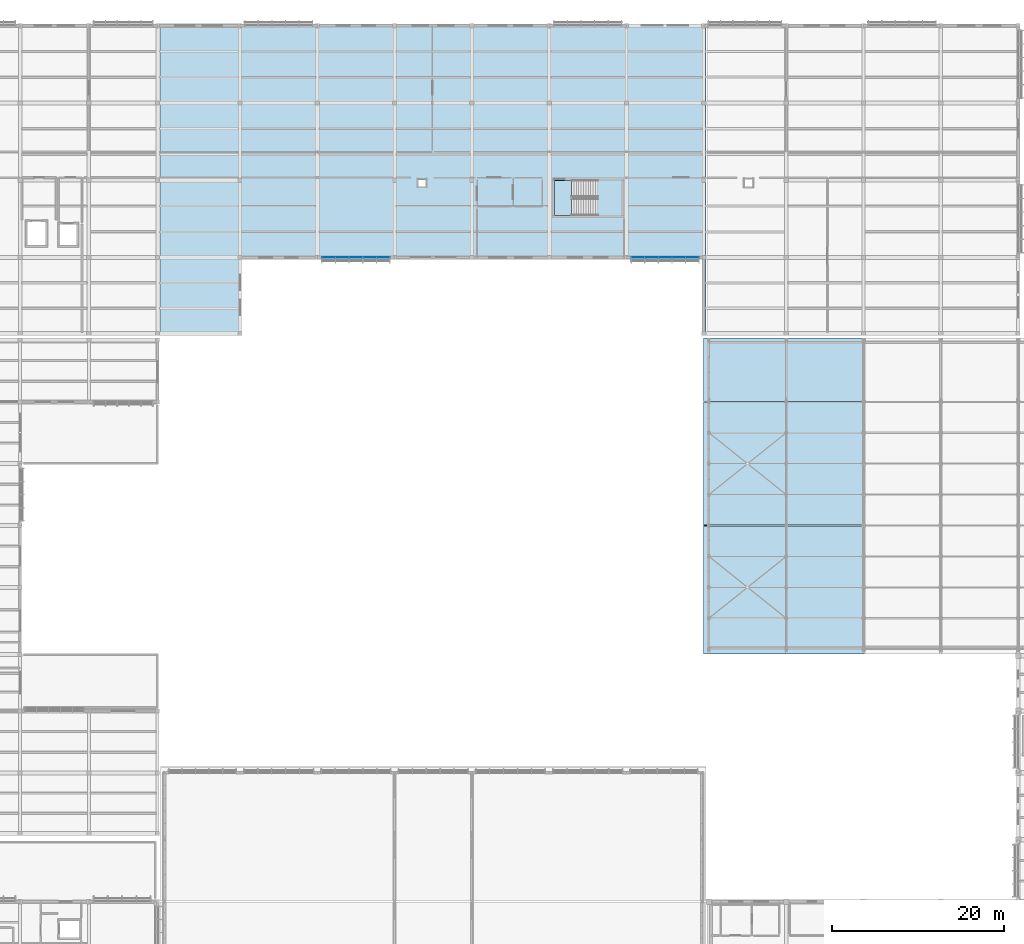
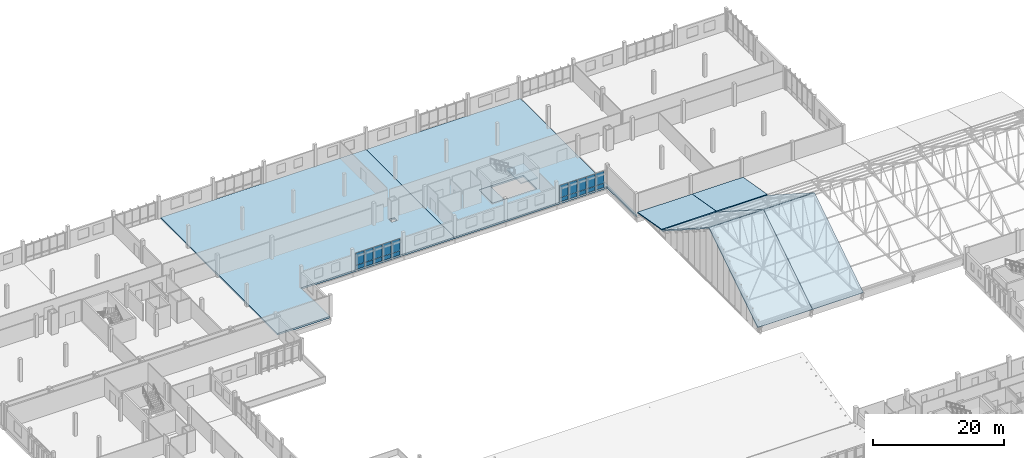
# One storey, part 151 of 182: 20 plates, 10 slabs, 3 elements without a shape of their own.
"""IFC4 building model written with IfcOpenShell, lengths in metres."""

from ifc_helpers import new_model, si_unit, direction, frame, origin, origin_2d, place, context, subcontext, project, spatial, polyline, rectangle, outline, extrude, material, layer, layer_set, type_object, element, aggregate, save


model = new_model("IFC4")

# Units and contexts
model_context = context("Model", 3, precision=1e-05, world=origin(), true_north=direction((0.0, 1.0)))
body_context = subcontext(model_context, "Body", "Model", "MODEL_VIEW")
ifc_project = project(units=[si_unit("LENGTHUNIT", "METRE"), si_unit("AREAUNIT", "SQUARE_METRE"), si_unit("VOLUMEUNIT", "CUBIC_METRE"), si_unit("PLANEANGLEUNIT", "RADIAN"), si_unit("MASSUNIT", "GRAM", prefix="KILO")], contexts=[model_context])

# Site, building, storey
site_placement = place(None, origin())
site = spatial("IfcSite", under=ifc_project, at=site_placement, CompositionType="ELEMENT")
building_placement = place(site_placement, origin())
building = spatial("IfcBuilding", under=site, at=building_placement, Name="Chiffa Square Polytechnic", CompositionType="ELEMENT")
storey_placement = place(building_placement, frame((0.0, 0.0, 9.60009765625)))
storey = spatial("IfcBuildingStorey", under=building, at=storey_placement, Name="L02", CompositionType="ELEMENT", Elevation=9.60009765625)

# Curtain wall, plates
ifc_material_1 = material(Name="Aluminium EN AW-6060 T66 and glulam shading", Category="wood")
curtain_wall_type_1 = type_object("IfcCurtainWallType", Name="CW-VERT-480X380", PredefinedType="USERDEFINED", material=ifc_material_1)
curtain_wall_1_placement = place(storey_placement, origin())
curtain_wall_1 = element("IfcCurtainWall", 1, at=curtain_wall_1_placement, inside=storey, type_object=curtain_wall_type_1, Name="Curtain wall CW-V5-L02-214", ObjectType="CURTAIN WALL", PredefinedType="USERDEFINED")
ifc_material_2 = material(Name="Double glazing", Category="glass")
ifc_layer_1 = layer(ifc_material_2, 0.0419921875, Name="Double glazing")
ifc_layer_set_1 = layer_set([ifc_layer_1], Name="Double glazing")
plate_type_1 = type_object("IfcPlateType", Name="CWP-GLZ-138X126", PredefinedType="CURTAIN_PANEL", material=ifc_layer_set_1)
plate_1_placement = place(storey_placement, frame((103.943115234375, 103.800048828125, 0.83935546875), z_axis=(0.0, 0.0, 1.0), x_axis=(1.0, 0.0, 0.0)))
plate_1 = element("IfcPlate", 2, at=plate_1_placement, type_object=plate_type_1, Name="Glazed curtain panel CW-V5-L02-214-PN01", PredefinedType="CURTAIN_PANEL", context=body_context, shape_type="SweptSolid", body=[
    extrude(rectangle(XDim=1.510009765625, YDim=0.0419921875, at=origin_2d()), origin(), (0.0, 0.0, 1.0), 2.284912109375),
])
plate_2_placement = place(storey_placement, frame((105.51611328125, 103.800048828125, 0.83935546875), z_axis=(0.0, 0.0, 1.0), x_axis=(1.0, 0.0, 0.0)))
plate_2 = element("IfcPlate", 3, at=plate_2_placement, type_object=plate_type_1, Name="Glazed curtain panel CW-V5-L02-214-PN02", PredefinedType="CURTAIN_PANEL", context=body_context, shape_type="SweptSolid", body=[
    extrude(rectangle(XDim=1.531982421875, YDim=0.0419921875, at=origin_2d()), origin(), (0.0, 0.0, 1.0), 2.284912109375),
])
plate_3_placement = place(storey_placement, frame((107.10009765625, 103.800048828125, 0.83935546875), z_axis=(0.0, 0.0, 1.0), x_axis=(1.0, 0.0, 0.0)))
plate_3 = element("IfcPlate", 4, at=plate_3_placement, type_object=plate_type_1, Name="Glazed curtain panel CW-V5-L02-214-PN03", PredefinedType="CURTAIN_PANEL", context=body_context, shape_type="SweptSolid", body=[
    extrude(rectangle(XDim=1.531982421875, YDim=0.0419921875, at=origin_2d()), origin(), (0.0, 0.0, 1.0), 2.284912109375),
])
plate_4_placement = place(storey_placement, frame((108.68408203125, 103.800048828125, 0.83935546875), z_axis=(0.0, 0.0, 1.0), x_axis=(1.0, 0.0, 0.0)))
plate_4 = element("IfcPlate", 5, at=plate_4_placement, type_object=plate_type_1, Name="Glazed curtain panel CW-V5-L02-214-PN04", PredefinedType="CURTAIN_PANEL", context=body_context, shape_type="SweptSolid", body=[
    extrude(rectangle(XDim=1.531982421875, YDim=0.0419921875, at=origin_2d()), origin(), (0.0, 0.0, 1.0), 2.284912109375),
])
plate_5_placement = place(storey_placement, frame((110.257080078125, 103.800048828125, 0.83935546875), z_axis=(0.0, 0.0, 1.0), x_axis=(1.0, 0.0, 0.0)))
plate_5 = element("IfcPlate", 6, at=plate_5_placement, type_object=plate_type_1, Name="Glazed curtain panel CW-V5-L02-214-PN05", PredefinedType="CURTAIN_PANEL", context=body_context, shape_type="SweptSolid", body=[
    extrude(rectangle(XDim=1.510009765625, YDim=0.0419921875, at=origin_2d()), origin(), (0.0, 0.0, 1.0), 2.284912109375),
])

curtain_wall_type_2 = type_object("IfcCurtainWallType", Name="CW-VERT-360X380", PredefinedType="USERDEFINED", material=ifc_material_1)
curtain_wall_2_placement = place(storey_placement, origin())
curtain_wall_2 = element("IfcCurtainWall", 7, at=curtain_wall_2_placement, inside=storey, type_object=curtain_wall_type_2, Name="Curtain wall CW-V5-L02-213", ObjectType="CURTAIN WALL", PredefinedType="USERDEFINED")
ifc_layer_2 = layer(ifc_material_2, 0.0400390625, Name="Double glazing")
ifc_layer_set_2 = layer_set([ifc_layer_2], Name="Double glazing")
plate_type_2 = type_object("IfcPlateType", Name="CWP-GLZ-140X130", PredefinedType="CURTAIN_PANEL", material=ifc_layer_set_2)
plate_6_placement = place(storey_placement, frame((67.943115234375, 103.800048828125, 0.83935546875), z_axis=(0.0, 0.0, 1.0), x_axis=(1.0, 0.0, 0.0)))
plate_6 = element("IfcPlate", 8, at=plate_6_placement, type_object=plate_type_2, Name="Glazed curtain panel CW-V5-L02-213-PN01", PredefinedType="CURTAIN_PANEL", context=body_context, shape_type="SweptSolid", body=[
    extrude(rectangle(XDim=1.510009765625, YDim=0.0400390625, at=origin_2d()), origin(), (0.0, 0.0, 1.0), 2.284912109375),
])
plate_7_placement = place(storey_placement, frame((69.51611328125, 103.800048828125, 0.83935546875), z_axis=(0.0, 0.0, 1.0), x_axis=(1.0, 0.0, 0.0)))
plate_7 = element("IfcPlate", 9, at=plate_7_placement, type_object=plate_type_2, Name="Glazed curtain panel CW-V5-L02-213-PN02", PredefinedType="CURTAIN_PANEL", context=body_context, shape_type="SweptSolid", body=[
    extrude(rectangle(XDim=1.531982421875, YDim=0.0400390625, at=origin_2d()), origin(), (0.0, 0.0, 1.0), 2.284912109375),
])
plate_8_placement = place(storey_placement, frame((71.10009765625, 103.800048828125, 0.83935546875), z_axis=(0.0, 0.0, 1.0), x_axis=(1.0, 0.0, 0.0)))
plate_8 = element("IfcPlate", 10, at=plate_8_placement, type_object=plate_type_2, Name="Glazed curtain panel CW-V5-L02-213-PN03", PredefinedType="CURTAIN_PANEL", context=body_context, shape_type="SweptSolid", body=[
    extrude(rectangle(XDim=1.531982421875, YDim=0.0400390625, at=origin_2d()), origin(), (0.0, 0.0, 1.0), 2.284912109375),
])
plate_9_placement = place(storey_placement, frame((72.68408203125, 103.800048828125, 0.83935546875), z_axis=(0.0, 0.0, 1.0), x_axis=(1.0, 0.0, 0.0)))
plate_9 = element("IfcPlate", 11, at=plate_9_placement, type_object=plate_type_2, Name="Glazed curtain panel CW-V5-L02-213-PN04", PredefinedType="CURTAIN_PANEL", context=body_context, shape_type="SweptSolid", body=[
    extrude(rectangle(XDim=1.531982421875, YDim=0.0400390625, at=origin_2d()), origin(), (0.0, 0.0, 1.0), 2.284912109375),
])
plate_10_placement = place(storey_placement, frame((74.257080078125, 103.800048828125, 0.83935546875), z_axis=(0.0, 0.0, 1.0), x_axis=(1.0, 0.0, 0.0)))
plate_10 = element("IfcPlate", 12, at=plate_10_placement, type_object=plate_type_2, Name="Glazed curtain panel CW-V5-L02-213-PN05", PredefinedType="CURTAIN_PANEL", context=body_context, shape_type="SweptSolid", body=[
    extrude(rectangle(XDim=1.510009765625, YDim=0.0400390625, at=origin_2d()), origin(), (0.0, 0.0, 1.0), 2.284912109375),
])
ifc_material_3 = material(Name="Aluminium insulated spandrel", Category="aluminium")
ifc_layer_3 = layer(ifc_material_3, 0.072021484375, Name="Aluminium insulated spandrel")
ifc_layer_set_3 = layer_set([ifc_layer_3], Name="Aluminium insulated spandrel")
plate_type_3 = type_object("IfcPlateType", Name="CWP-SPN-136X072", PredefinedType="SHEET", material=ifc_layer_set_3)
plate_11_placement = place(storey_placement, frame((67.943115234375, 103.800048828125, 0.0498046875), z_axis=(0.0, 0.0, 1.0), x_axis=(1.0, 0.0, 0.0)))
plate_11 = element("IfcPlate", 13, at=plate_11_placement, type_object=plate_type_3, Name="Spandrel panel CW-V5-L02-213-SP01", PredefinedType="SHEET", context=body_context, shape_type="SweptSolid", body=[
    extrude(rectangle(XDim=1.510009765625, YDim=0.072021484375, at=origin_2d()), origin(), (0.0, 0.0, 1.0), 0.75),
])
plate_12_placement = place(storey_placement, frame((69.51611328125, 103.800048828125, 0.0498046875), z_axis=(0.0, 0.0, 1.0), x_axis=(1.0, 0.0, 0.0)))
plate_12 = element("IfcPlate", 14, at=plate_12_placement, type_object=plate_type_3, Name="Spandrel panel CW-V5-L02-213-SP02", PredefinedType="SHEET", context=body_context, shape_type="SweptSolid", body=[
    extrude(rectangle(XDim=1.531982421875, YDim=0.072021484375, at=origin_2d()), origin(), (0.0, 0.0, 1.0), 0.75),
])
plate_13_placement = place(storey_placement, frame((71.10009765625, 103.800048828125, 0.0498046875), z_axis=(0.0, 0.0, 1.0), x_axis=(1.0, 0.0, 0.0)))
plate_13 = element("IfcPlate", 15, at=plate_13_placement, type_object=plate_type_3, Name="Spandrel panel CW-V5-L02-213-SP03", PredefinedType="SHEET", context=body_context, shape_type="SweptSolid", body=[
    extrude(rectangle(XDim=1.531982421875, YDim=0.072021484375, at=origin_2d()), origin(), (0.0, 0.0, 1.0), 0.75),
])
plate_14_placement = place(storey_placement, frame((72.68408203125, 103.800048828125, 0.0498046875), z_axis=(0.0, 0.0, 1.0), x_axis=(1.0, 0.0, 0.0)))
plate_14 = element("IfcPlate", 16, at=plate_14_placement, type_object=plate_type_3, Name="Spandrel panel CW-V5-L02-213-SP04", PredefinedType="SHEET", context=body_context, shape_type="SweptSolid", body=[
    extrude(rectangle(XDim=1.531982421875, YDim=0.072021484375, at=origin_2d()), origin(), (0.0, 0.0, 1.0), 0.75),
])
plate_15_placement = place(storey_placement, frame((74.257080078125, 103.800048828125, 0.0498046875), z_axis=(0.0, 0.0, 1.0), x_axis=(1.0, 0.0, 0.0)))
plate_15 = element("IfcPlate", 17, at=plate_15_placement, type_object=plate_type_3, Name="Spandrel panel CW-V5-L02-213-SP05", PredefinedType="SHEET", context=body_context, shape_type="SweptSolid", body=[
    extrude(rectangle(XDim=1.510009765625, YDim=0.072021484375, at=origin_2d()), origin(), (0.0, 0.0, 1.0), 0.75),
])
aggregate(curtain_wall_2, [plate_11, plate_6, plate_12, plate_7, plate_13, plate_8, plate_14, plate_9, plate_15, plate_10])

# Plate
ifc_layer_4 = layer(ifc_material_3, 0.06005859375, Name="Aluminium insulated spandrel")
ifc_layer_set_4 = layer_set([ifc_layer_4], Name="Aluminium insulated spandrel")
plate_type_4 = type_object("IfcPlateType", Name="CWP-SPN-150X095", PredefinedType="SHEET", material=ifc_layer_set_4)
plate_16_placement = place(storey_placement, frame((103.943115234375, 103.800048828125, 0.0498046875), z_axis=(0.0, 0.0, 1.0), x_axis=(1.0, 0.0, 0.0)))
plate_16 = element("IfcPlate", 18, at=plate_16_placement, type_object=plate_type_4, Name="Spandrel panel CW-V5-L02-214-SP01", PredefinedType="SHEET", context=body_context, shape_type="SweptSolid", body=[
    extrude(rectangle(XDim=1.510009765625, YDim=0.06005859375, at=origin_2d()), origin(), (0.0, 0.0, 1.0), 0.75),
])

plate_17_placement = place(storey_placement, frame((105.51611328125, 103.800048828125, 0.0498046875), z_axis=(0.0, 0.0, 1.0), x_axis=(1.0, 0.0, 0.0)))
plate_17 = element("IfcPlate", 19, at=plate_17_placement, type_object=plate_type_4, Name="Spandrel panel CW-V5-L02-214-SP02", PredefinedType="SHEET", context=body_context, shape_type="SweptSolid", body=[
    extrude(rectangle(XDim=1.531982421875, YDim=0.06005859375, at=origin_2d()), origin(), (0.0, 0.0, 1.0), 0.75),
])

plate_18_placement = place(storey_placement, frame((107.10009765625, 103.800048828125, 0.0498046875), z_axis=(0.0, 0.0, 1.0), x_axis=(1.0, 0.0, 0.0)))
plate_18 = element("IfcPlate", 20, at=plate_18_placement, type_object=plate_type_4, Name="Spandrel panel CW-V5-L02-214-SP03", PredefinedType="SHEET", context=body_context, shape_type="SweptSolid", body=[
    extrude(rectangle(XDim=1.531982421875, YDim=0.06005859375, at=origin_2d()), origin(), (0.0, 0.0, 1.0), 0.75),
])

plate_19_placement = place(storey_placement, frame((108.68408203125, 103.800048828125, 0.0498046875), z_axis=(0.0, 0.0, 1.0), x_axis=(1.0, 0.0, 0.0)))
plate_19 = element("IfcPlate", 21, at=plate_19_placement, type_object=plate_type_4, Name="Spandrel panel CW-V5-L02-214-SP04", PredefinedType="SHEET", context=body_context, shape_type="SweptSolid", body=[
    extrude(rectangle(XDim=1.531982421875, YDim=0.06005859375, at=origin_2d()), origin(), (0.0, 0.0, 1.0), 0.75),
])

plate_20_placement = place(storey_placement, frame((110.257080078125, 103.800048828125, 0.0498046875), z_axis=(0.0, 0.0, 1.0), x_axis=(1.0, 0.0, 0.0)))
plate_20 = element("IfcPlate", 22, at=plate_20_placement, type_object=plate_type_4, Name="Spandrel panel CW-V5-L02-214-SP05", PredefinedType="SHEET", context=body_context, shape_type="SweptSolid", body=[
    extrude(rectangle(XDim=1.510009765625, YDim=0.06005859375, at=origin_2d()), origin(), (0.0, 0.0, 1.0), 0.75),
])

aggregate(curtain_wall_1, [plate_16, plate_1, plate_17, plate_2, plate_18, plate_3, plate_19, plate_4, plate_20, plate_5])

# Slabs
ifc_material_4 = material(Name="Concrete C40/50", Category="concrete")
ifc_layer_5 = layer(ifc_material_4, 0.320068359375, Name="Concrete C40/50")
ifc_layer_set_5 = layer_set([ifc_layer_5], Name="Concrete C40/50")
slab_type_1 = type_object("IfcSlabType", Name="SLB-FLR-320", PredefinedType="FLOOR", material=ifc_layer_set_5)
slab_1_placement = place(storey_placement, frame((0.0, 0.0, -0.320068359375)))
element("IfcSlab", 23, at=slab_1_placement, inside=storey, type_object=slab_type_1, Name="V5 L02 structural slab SLB-V5-L02-035", PredefinedType="FLOOR", context=body_context, shape_type="SweptSolid", body=[
    extrude(outline(polyline([(57.60009765625, 103.800048828125), (57.60009765625, 95.050048828125), (48.35009765625, 95.050048828125), (48.35009765625, 130.800048828125), (84.60009765625, 130.800048828125), (84.60009765625, 103.800048828125), (57.60009765625, 103.800048828125)]), holes=[polyline([(78.35009765625, 112.89990234375), (79.25, 112.89990234375), (79.25, 112.050048828125), (78.35009765625, 112.050048828125), (78.35009765625, 112.89990234375)])]), origin(), (0.0, 0.0, 1.0), 0.320068359375),
])
slab_2_placement = place(storey_placement, frame((0.0, 0.0, -0.320068359375)))
element("IfcSlab", 24, at=slab_2_placement, inside=storey, type_object=slab_type_1, Name="V5 L02 structural slab SLB-V5-L02-036", PredefinedType="FLOOR", context=body_context, shape_type="SweptSolid", body=[
    extrude(outline(polyline([(111.60009765625, 95.050048828125), (111.60009765625, 103.800048828125), (84.60009765625, 103.800048828125), (84.60009765625, 130.800048828125), (111.85009765625, 130.800048828125), (111.85009765625, 95.050048828125), (111.60009765625, 95.050048828125)]), holes=[polyline([(94.199951171875, 112.800048828125), (102.0, 112.800048828125), (102.0, 108.699951171875), (94.199951171875, 108.699951171875), (94.199951171875, 112.800048828125)])]), origin(), (0.0, 0.0, 1.0), 0.320068359375),
])
ifc_layer_6 = layer(ifc_material_4, 0.35009765625, Name="Concrete C40/50")
ifc_layer_set_6 = layer_set([ifc_layer_6], Name="Concrete C40/50")
slab_type_2 = type_object("IfcSlabType", Name="SLB-FLR-350", PredefinedType="FLOOR", material=ifc_layer_set_6)
slab_3_placement = place(storey_placement, frame((0.0, 0.0, -0.35009765625)))
element("IfcSlab", 25, at=slab_3_placement, inside=storey, type_object=slab_type_2, Name="Stair core floor landing slab SLB-CORE-CORE-V5B-L02", PredefinedType="FLOOR", context=body_context, shape_type="SweptSolid", body=[
    extrude(outline(polyline([(94.199951171875, 108.699951171875), (96.2119140625, 108.699951171875), (96.2119140625, 112.800048828125), (94.199951171875, 112.800048828125), (94.199951171875, 108.699951171875)])), origin(), (0.0, 0.0, 1.0), 0.35009765625),
])

# Stair, slab
ifc_material_5 = material(Name="Concrete C35/45", Category="concrete")
stair_type = type_object("IfcStairType", Name="STAIR-DOG-1950", PredefinedType="HALF_TURN_STAIR", material=ifc_material_5)
stair_placement = place(storey_placement, origin())
stair = element("IfcStair", 26, at=stair_placement, inside=storey, type_object=stair_type, Name="L02 Enclosed exit stair ST-V5B", PredefinedType="HALF_TURN_STAIR")
ifc_layer_7 = layer(ifc_material_5, 0.199951171875, Name="Concrete C35/45")
ifc_layer_set_7 = layer_set([ifc_layer_7], Name="Concrete C35/45")
slab_type_3 = type_object("IfcSlabType", Name="SLB-LND-200", PredefinedType="LANDING", material=ifc_layer_set_7)
slab_4_placement = place(storey_placement, frame((0.0, 0.0, 1.89990234375)))
slab_4 = element("IfcSlab", 27, at=slab_4_placement, type_object=slab_type_3, Name="ST-V5B landing 1", PredefinedType="LANDING", context=body_context, shape_type="SweptSolid", body=[
    extrude(outline(polyline([(99.159912109375, 108.580078125), (99.159912109375, 112.919921875), (102.1201171875, 112.919921875), (102.1201171875, 108.580078125), (99.159912109375, 108.580078125)])), origin(), (0.0, 0.0, 1.0), 0.199951171875),
])
aggregate(stair, [slab_4])

# Slabs
ifc_material_6 = material(Name="CLT C24", Category="wood")
ifc_layer_8 = layer(ifc_material_6, 0.179931640625, Name="CLT C24")
ifc_layer_set_8 = layer_set([ifc_layer_8], Name="CLT C24")
slab_type_4 = type_object("IfcSlabType", Name="SLB-ROOF-180", PredefinedType="ROOF", material=ifc_layer_set_8)
slab_5_placement = place(storey_placement, frame((111.550048828125, 87.050048828125, 2.18798828125), z_axis=(0.0, 0.170858257053, 0.985295618582), x_axis=(1.0, 0.0, 0.0)))
element("IfcSlab", 28, at=slab_5_placement, inside=storey, type_object=slab_type_4, Name="Workshop metrology shed roof slab SLB-ROOF-V2-SH01", PredefinedType="ROOF", context=body_context, shape_type="SweptSolid", body=[
    extrude(outline(polyline([(0.0, 0.0), (9.641845703125, 0.0), (9.641845703125, 7.5103372066137295), (0.0, 7.5103372066137295), (0.0, 0.0)])), origin(), (0.0, 0.0, -1.0), 0.179931640625),
])
slab_6_placement = place(storey_placement, frame((121.2080078125, 87.050048828125, 2.18798828125), z_axis=(0.0, 0.170858257053, 0.985295618582), x_axis=(1.0, 0.0, 0.0)))
element("IfcSlab", 29, at=slab_6_placement, inside=storey, type_object=slab_type_4, Name="Workshop metrology shed roof slab SLB-ROOF-V2-SH02", PredefinedType="ROOF", context=body_context, shape_type="SweptSolid", body=[
    extrude(outline(polyline([(0.0, 0.0), (8.98388671875, 0.0), (8.98388671875, 7.510337206613729), (0.0, 7.510337206613729), (0.0, 0.0)])), origin(), (0.0, 0.0, -1.0), 0.179931640625),
])
ifc_layer_9 = layer(ifc_material_6, 0.199951171875, Name="CLT C24")
ifc_layer_set_9 = layer_set([ifc_layer_9], Name="CLT C24")
slab_type_5 = type_object("IfcSlabType", Name="SLB-ROOF-200", PredefinedType="ROOF", material=ifc_layer_set_9)
slab_7_placement = place(storey_placement, frame((111.550048828125, 57.64990234375, 1.7109375), z_axis=(0.0, -0.539395218771, 0.842052728733), x_axis=(1.0, 0.0, 0.0)))
element("IfcSlab", 30, at=slab_7_placement, inside=storey, type_object=slab_type_5, Name="Workshop south pitched roof slab SLB-ROOF-V2-S01", PredefinedType="ROOF", context=body_context, shape_type="SweptSolid", body=[
    extrude(outline(polyline([(0.0, 0.0), (9.641845703125, 0.0), (9.641845703125, 17.706915186214047), (0.0, 17.706915186214047), (0.0, 0.0)])), origin(), (0.0, 0.0, -1.0), 0.199951171875),
])
slab_8_placement = place(storey_placement, frame((111.550048828125, 72.639892578125, 11.261962890625), z_axis=(0.0, 0.539448083273, 0.842018862884), x_axis=(1.0, 0.0, 0.0)))
element("IfcSlab", 31, at=slab_8_placement, inside=storey, type_object=slab_type_5, Name="Workshop north pitched roof slab SLB-ROOF-V2-N01", PredefinedType="ROOF", context=body_context, shape_type="SweptSolid", body=[
    extrude(outline(polyline([(0.0, 0.0), (9.641845703125, 0.0), (9.641845703125, 17.054377348137738), (0.0, 17.054377348137738), (0.0, 0.0)])), origin(), (0.0, 0.0, -1.0), 0.199951171875),
])
slab_9_placement = place(storey_placement, frame((121.2080078125, 57.64990234375, 1.7109375), z_axis=(0.0, -0.539395218771, 0.842052728733), x_axis=(1.0, 0.0, 0.0)))
element("IfcSlab", 32, at=slab_9_placement, inside=storey, type_object=slab_type_5, Name="Workshop south pitched roof slab SLB-ROOF-V2-S02", PredefinedType="ROOF", context=body_context, shape_type="SweptSolid", body=[
    extrude(outline(polyline([(0.0, 0.0), (8.98388671875, 0.0), (8.98388671875, 17.706915186214047), (0.0, 17.706915186214047), (0.0, 0.0)])), origin(), (0.0, 0.0, -1.0), 0.199951171875),
])
slab_10_placement = place(storey_placement, frame((121.2080078125, 72.639892578125, 11.261962890625), z_axis=(0.0, 0.539448083273, 0.842018862884), x_axis=(1.0, 0.0, 0.0)))
element("IfcSlab", 33, at=slab_10_placement, inside=storey, type_object=slab_type_5, Name="Workshop north pitched roof slab SLB-ROOF-V2-N02", PredefinedType="ROOF", context=body_context, shape_type="SweptSolid", body=[
    extrude(outline(polyline([(0.0, 0.0), (8.98388671875, 0.0), (8.98388671875, 17.054377348137738), (0.0, 17.054377348137738), (0.0, 0.0)])), origin(), (0.0, 0.0, -1.0), 0.199951171875),
])

save(model, "model.ifc")
